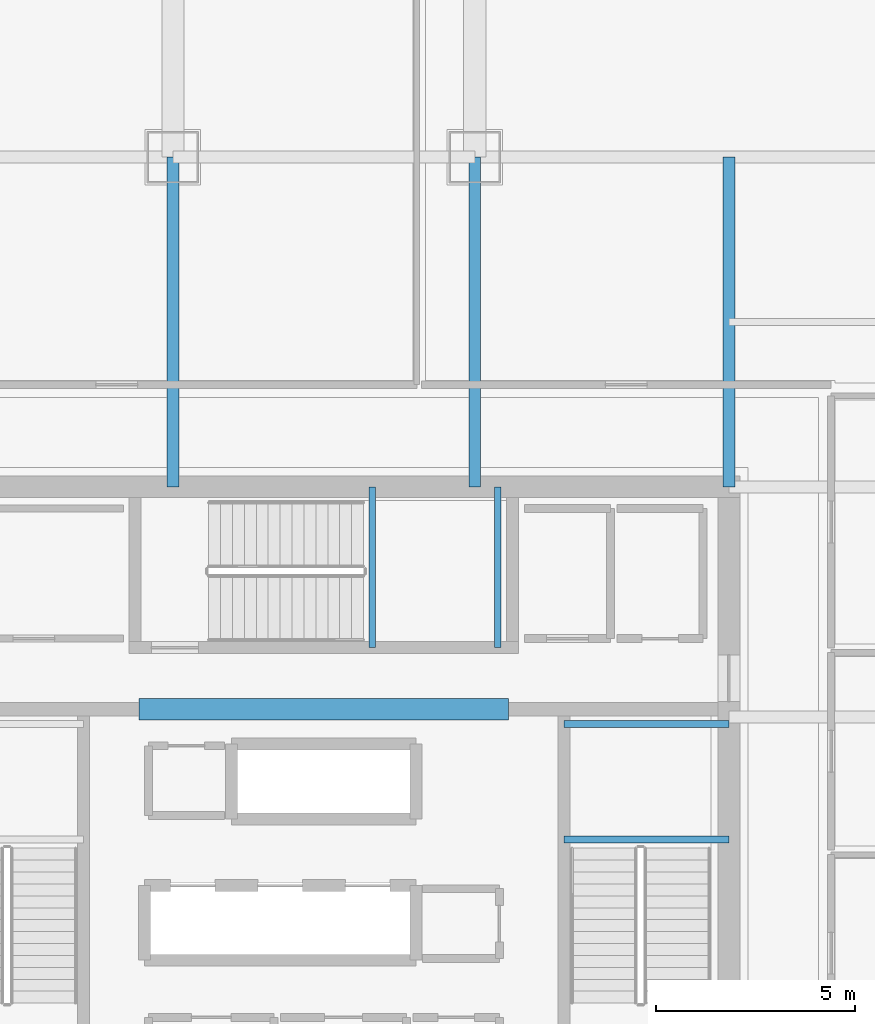
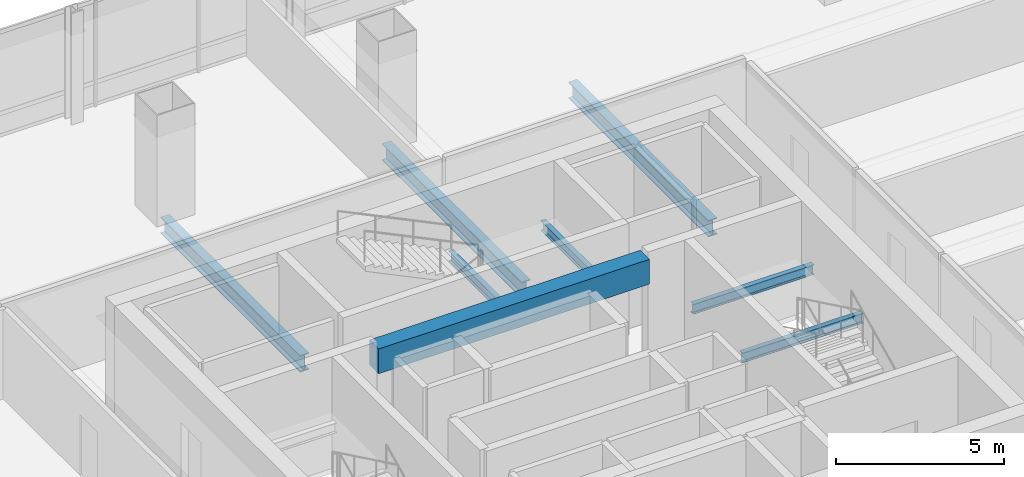
# One storey, part 13 of 39: 8 beams.
"""IFC4 building model written with IfcOpenShell, lengths in metres."""

from ifc_helpers import new_model, si_unit, direction, frame, origin, origin_2d, place, context, subcontext, project, spatial, rectangle, i_section, extrude, material, material_profile, profile_set, type_object, element, save


model = new_model("IFC4")

# Units and contexts
model_context = context("Model", 3, precision=1e-05, world=origin(), true_north=direction((0.0, 1.0)))
body_context = subcontext(model_context, "Body", "Model", "MODEL_VIEW")
ifc_project = project(units=[si_unit("LENGTHUNIT", "METRE"), si_unit("AREAUNIT", "SQUARE_METRE"), si_unit("VOLUMEUNIT", "CUBIC_METRE"), si_unit("PLANEANGLEUNIT", "RADIAN"), si_unit("MASSUNIT", "GRAM", prefix="KILO")], contexts=[model_context])

# Site, building, storey
site_placement = place(None, origin())
site = spatial("IfcSite", under=ifc_project, at=site_placement, CompositionType="ELEMENT")
building_placement = place(site_placement, origin())
building = spatial("IfcBuilding", under=site, at=building_placement, Name="Punatoya Terracotta Tower", CompositionType="ELEMENT")
storey_placement = place(building_placement, frame((0.0, 0.0, 275.699951171875)))
storey = spatial("IfcBuildingStorey", under=building, at=storey_placement, Name="L65", CompositionType="ELEMENT", Elevation=275.699951171875)

# Beams
ifc_material_1 = material(Name="Steel S355", Category="steel")
ifc_material_profile_1 = material_profile(ifc_material_1, i_section(OverallWidth=0.300048828125, OverallDepth=0.60009765625, WebThickness=0.015380859375, FlangeThickness=0.030029296875, FilletRadius=0.01806640625, at=origin_2d()))
ifc_profile_set_1 = profile_set([ifc_material_profile_1], Name="Steel S355")
beam_type_1 = type_object("IfcBeamType", Name="BM-PRI-600", PredefinedType="BEAM", material=ifc_profile_set_1)
for number, where, z_axis, x_axis, name in (
    (1, (-3.800048828125, 9.199951171875, -0.5), (0.0, 1.0, 0.0), (-1.0, 0.0, 0.0), "BM-L65-PR-N2"),
    (2, (3.800048828125, 9.199951171875, -0.5), (0.0, 1.0, 0.0), (-1.0, 0.0, 0.0), "BM-L65-PR-N3"),
    (3, (10.199951171875, 9.199951171875, -0.5), (0.0, 1.0, 0.0), (-1.0, 0.0, 0.0), "BM-L65-PR-N4"),
):
    element("IfcBeam", number, at=place(storey_placement, frame(where, z_axis=z_axis, x_axis=x_axis)), inside=storey, type_object=beam_type_1, Name=name, PredefinedType="BEAM", context=body_context, shape_type="SweptSolid", body=[
        extrude(i_section(OverallWidth=0.300048828125, OverallDepth=0.60009765625, WebThickness=0.015380859375, FlangeThickness=0.030029296875, FilletRadius=0.01806640625, at=origin_2d()), origin(), (0.0, 0.0, 1.0), 8.300048828125),
    ])
ifc_material_2 = material(Name="Concrete C50/60", Category="concrete")
ifc_material_profile_2 = material_profile(ifc_material_2, rectangle(XDim=0.550048828125, YDim=0.89990234375, at=origin_2d()))
ifc_profile_set_2 = profile_set([ifc_material_profile_2], Name="Concrete C50/60")
beam_type_2 = type_object("IfcBeamType", Name="BM-RC-900", PredefinedType="LINTEL", material=ifc_profile_set_2)
beam_placement = place(storey_placement, frame((-4.64990234375, 3.60009765625, 3.400146484375), z_axis=(1.0, 0.0, 0.0), x_axis=(0.0, 1.0, 0.0)))
element("IfcBeam", 4, at=beam_placement, inside=storey, type_object=beam_type_2, Name="L65 Core Coupling Lintel CNW", PredefinedType="LINTEL", context=body_context, shape_type="SweptSolid", body=[
    extrude(rectangle(XDim=0.550048828125, YDim=0.89990234375, at=origin_2d()), origin(), (0.0, 0.0, 1.0), 9.2998046875),
])
ifc_material_profile_3 = material_profile(ifc_material_1, i_section(OverallWidth=0.169921875, OverallDepth=0.360107421875, WebThickness=0.008056640625, FlangeThickness=0.0126953125, FilletRadius=0.01806640625, at=origin_2d()))
ifc_profile_set_3 = profile_set([ifc_material_profile_3], Name="Steel S355")
beam_type_3 = type_object("IfcBeamType", Name="BM-SEC-360", PredefinedType="JOIST", material=ifc_profile_set_3)
for number, where, z_axis, x_axis, name in (
    (5, (6.050048828125, 0.320068359375, 1.64501953125), (1.0, 0.0, 0.0), (0.0, 1.0, 0.0), "BM-L65-ST-2-LD1A"),
    (6, (6.050048828125, 3.22998046875, 1.64501953125), (1.0, 0.0, 0.0), (0.0, 1.0, 0.0), "BM-L65-ST-2-LD1B"),
):
    element("IfcBeam", number, at=place(storey_placement, frame(where, z_axis=z_axis, x_axis=x_axis)), inside=storey, type_object=beam_type_3, Name=name, PredefinedType="JOIST", context=body_context, shape_type="SweptSolid", body=[
        extrude(i_section(OverallWidth=0.169921875, OverallDepth=0.360107421875, WebThickness=0.008056640625, FlangeThickness=0.0126953125, FilletRadius=0.01806640625, at=origin_2d()), origin(), (0.0, 0.0, 1.0), 4.14990234375),
    ])
for number, where, z_axis, x_axis, name in (
    (7, (1.219970703125, 5.14990234375, 1.64501953125), (0.0, 1.0, 0.0), (-1.0, 0.0, 0.0), "BM-L65-ST-3-LD1A"),
    (8, (4.3798828125, 5.14990234375, 1.64501953125), (0.0, 1.0, 0.0), (-1.0, 0.0, 0.0), "BM-L65-ST-3-LD1B"),
):
    element("IfcBeam", number, at=place(storey_placement, frame(where, z_axis=z_axis, x_axis=x_axis)), inside=storey, type_object=beam_type_3, Name=name, PredefinedType="JOIST", context=body_context, shape_type="SweptSolid", body=[
        extrude(i_section(OverallWidth=0.169921875, OverallDepth=0.360107421875, WebThickness=0.008056640625, FlangeThickness=0.0126953125, FilletRadius=0.01806640625, at=origin_2d()), origin(), (0.0, 0.0, 1.0), 4.050048828125),
    ])

save(model, "model.ifc")
